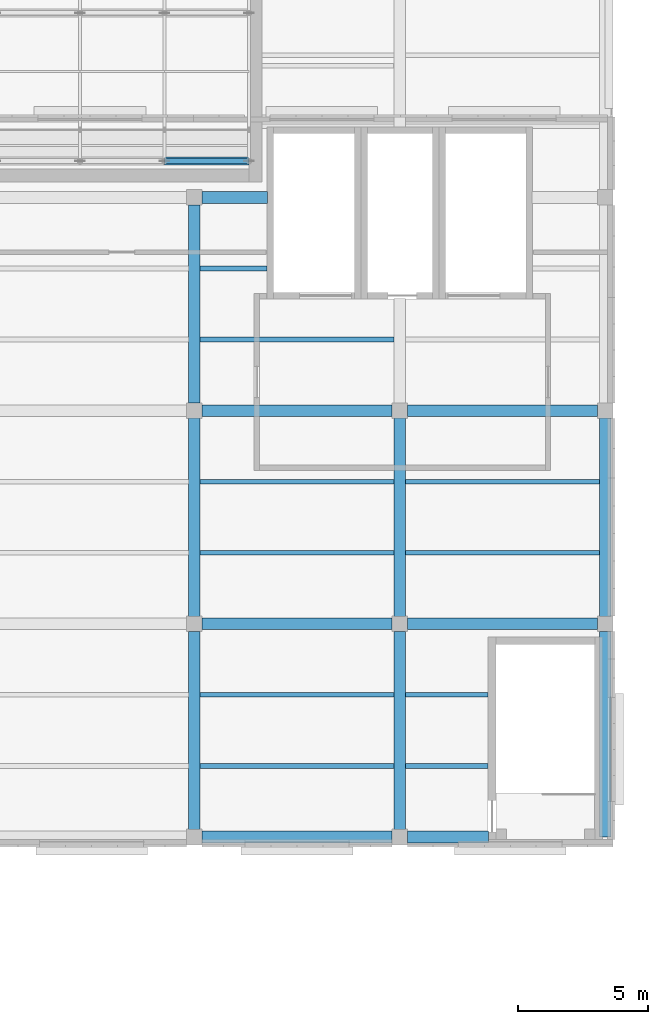
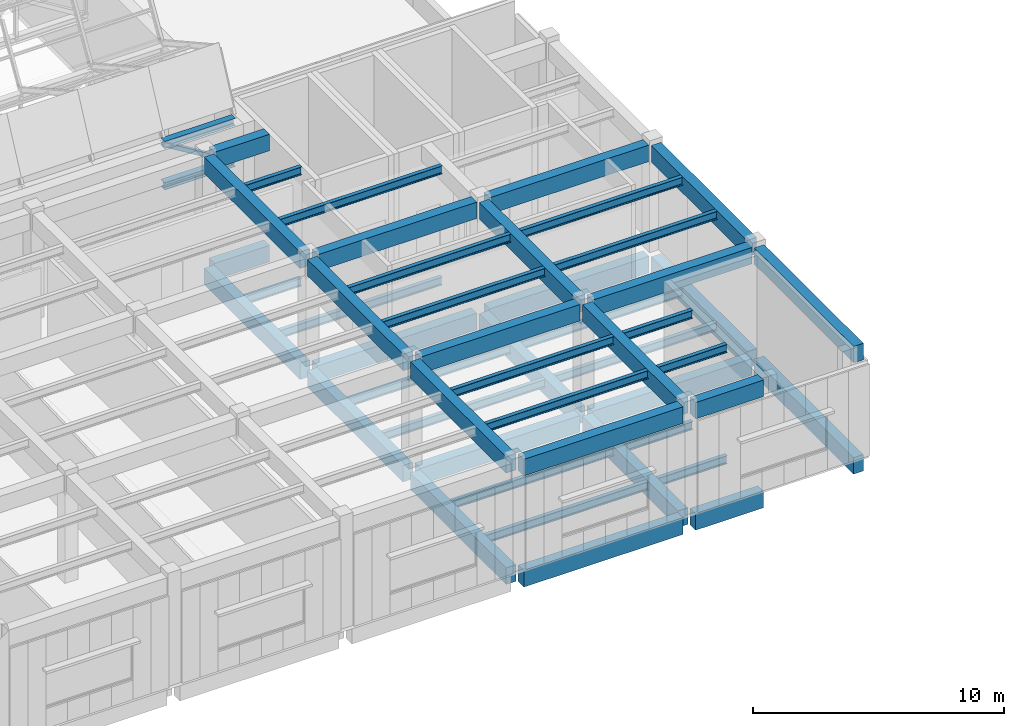
# One storey, part 49 of 132: 48 beams, 3 members.
"""IFC4 building model written with IfcOpenShell, lengths in metres."""

from ifc_helpers import new_model, si_unit, direction, frame, origin, origin_2d, place, context, subcontext, project, spatial, rectangle, hollow_rectangle, i_section, extrude, material, material_profile, profile_set, type_object, element, save


model = new_model("IFC4")

# Units and contexts
model_context = context("Model", 3, precision=1e-05, world=origin(), true_north=direction((0.0, 1.0)))
body_context = subcontext(model_context, "Body", "Model", "MODEL_VIEW")
ifc_project = project(units=[si_unit("LENGTHUNIT", "METRE"), si_unit("AREAUNIT", "SQUARE_METRE"), si_unit("VOLUMEUNIT", "CUBIC_METRE"), si_unit("PLANEANGLEUNIT", "RADIAN"), si_unit("MASSUNIT", "GRAM", prefix="KILO")], contexts=[model_context])

# Site, building, storey
site_placement = place(None, origin())
site = spatial("IfcSite", under=ifc_project, at=site_placement, CompositionType="ELEMENT")
building_placement = place(site_placement, origin())
building = spatial("IfcBuilding", under=site, at=building_placement, Name="Lunette Opera House", CompositionType="ELEMENT")
storey_placement = place(building_placement, frame((0.0, 0.0, 17.0)))
storey = spatial("IfcBuildingStorey", under=building, at=storey_placement, Name="L03", CompositionType="ELEMENT", Elevation=17.0)

# Members
ifc_material_1 = material(Name="Steel S355", Category="steel")
ifc_material_profile_1 = material_profile(ifc_material_1, i_section(OverallWidth=0.300048828125, OverallDepth=0.35009765625, WebThickness=0.010009765625, FlangeThickness=0.017578125, FilletRadius=0.027099609375, at=origin_2d()), Name="HEA 360")
ifc_profile_set_1 = profile_set([ifc_material_profile_1], Name="Steel S355")
member_type_1 = type_object("IfcMemberType", Name="CHORD HEA 360", PredefinedType="CHORD", material=ifc_profile_set_1)
for number, where, z_axis, x_axis, name in (
    (1, (166.75, 104.300048828125, 5.205078125), (1.0, 0.0, 0.0), (0.0, 1.0, 0.0), "mem-WW-L03-WW-TR01-TC8"),
    (2, (166.75, 104.300048828125, 3.205078125), (1.0, 0.0, 0.0), (0.0, 1.0, 0.0), "mem-WW-L03-WW-TR01-BC8"),
):
    element("IfcMember", number, at=place(storey_placement, frame(where, z_axis=z_axis, x_axis=x_axis)), inside=storey, type_object=member_type_1, Name=name, PredefinedType="CHORD", context=body_context, shape_type="SweptSolid", body=[
        extrude(i_section(OverallWidth=0.300048828125, OverallDepth=0.35009765625, WebThickness=0.010009765625, FlangeThickness=0.017578125, FilletRadius=0.027099609375, at=origin_2d()), origin(), (0.0, 0.0, 1.0), 3.25),
    ])
ifc_material_2 = material(Name="Steel S355", Category="steel")
ifc_material_profile_2 = material_profile(ifc_material_2, hollow_rectangle(XDim=0.199951171875, YDim=0.199951171875, WallThickness=0.008056640625, InnerFilletRadius=0.008056640625, OuterFilletRadius=0.01611328125, at=origin_2d()), Name="RHS 200X200X8")
ifc_profile_set_2 = profile_set([ifc_material_profile_2], Name="Steel S355")
member_type_2 = type_object("IfcMemberType", Name="DIAGONAL RHS 200X200X8", PredefinedType="BRACE", material=ifc_profile_set_2)
member_placement = place(storey_placement, frame((166.75, 104.300048828125, 5.205078125), z_axis=(0.851658316705, 0.0, -0.524097425664), x_axis=(0.0, 1.0, 0.0)))
element("IfcMember", 3, at=member_placement, inside=storey, type_object=member_type_2, Name="mem-WW-L03-WW-TR01-TD8", PredefinedType="BRACE", context=body_context, shape_type="SweptSolid", body=[
    extrude(hollow_rectangle(XDim=0.199951171875, YDim=0.199951171875, WallThickness=0.008056640625, InnerFilletRadius=0.008056640625, OuterFilletRadius=0.01611328125, at=origin_2d()), origin(), (0.0, 0.0, 1.0), 3.816162109375),
])

# Beams
ifc_material_3 = material(Name="Concrete C35/45", Category="concrete")
ifc_material_profile_3 = material_profile(ifc_material_3, rectangle(XDim=0.449951171875, YDim=0.800048828125, at=origin_2d()), Name="RC BEAM 450X800")
ifc_profile_set_3 = profile_set([ifc_material_profile_3], Name="Concrete C35/45")
beam_type_1 = type_object("IfcBeamType", Name="RC BEAM 450X800", PredefinedType="BEAM", material=ifc_profile_set_3)
for number, where, z_axis, x_axis, name in (
    (4, (167.89990234375, 78.590087890625, -0.550048828125), (0.0, 1.0, 0.0), (-1.0, 0.0, 0.0), "beam-WW-L03-L03-GY40"),
    (5, (167.89990234375, 86.7900390625, -0.550048828125), (0.0, 1.0, 0.0), (-1.0, 0.0, 0.0), "beam-WW-L03-L03-GY41"),
):
    element("IfcBeam", number, at=place(storey_placement, frame(where, z_axis=z_axis, x_axis=x_axis)), inside=storey, type_object=beam_type_1, Name=name, PredefinedType="BEAM", context=body_context, shape_type="SweptSolid", body=[
        extrude(rectangle(XDim=0.449951171875, YDim=0.800048828125, at=origin_2d()), origin(), (0.0, 0.0, 1.0), 7.619873046875),
    ])
beam_1_placement = place(storey_placement, frame((167.89990234375, 94.989990234375, -0.550048828125), z_axis=(0.0, 1.0, 0.0), x_axis=(-1.0, 0.0, 0.0)))
element("IfcBeam", 6, at=beam_1_placement, inside=storey, type_object=beam_type_1, Name="beam-WW-L03-L03-GY42", PredefinedType="BEAM", context=body_context, shape_type="SweptSolid", body=[
    extrude(rectangle(XDim=0.449951171875, YDim=0.800048828125, at=origin_2d()), origin(), (0.0, 0.0, 1.0), 7.6201171875),
])
for number, where, z_axis, x_axis, name in (
    (7, (175.800048828125, 78.590087890625, -0.550048828125), (0.0, 1.0, 0.0), (-1.0, 0.0, 0.0), "beam-WW-L03-L03-GY50"),
    (8, (175.800048828125, 86.7900390625, -0.550048828125), (0.0, 1.0, 0.0), (-1.0, 0.0, 0.0), "beam-WW-L03-L03-GY51"),
):
    element("IfcBeam", number, at=place(storey_placement, frame(where, z_axis=z_axis, x_axis=x_axis)), inside=storey, type_object=beam_type_1, Name=name, PredefinedType="BEAM", context=body_context, shape_type="SweptSolid", body=[
        extrude(rectangle(XDim=0.449951171875, YDim=0.800048828125, at=origin_2d()), origin(), (0.0, 0.0, 1.0), 7.619873046875),
    ])
beam_2_placement = place(storey_placement, frame((183.699951171875, 78.300048828125, -0.550048828125), z_axis=(0.0, 1.0, 0.0), x_axis=(-1.0, 0.0, 0.0)))
element("IfcBeam", 9, at=beam_2_placement, inside=storey, type_object=beam_type_1, Name="beam-WW-L03-L03-GY60", PredefinedType="BEAM", context=body_context, shape_type="SweptSolid", body=[
    extrude(rectangle(XDim=0.449951171875, YDim=0.800048828125, at=origin_2d()), origin(), (0.0, 0.0, 1.0), 7.909912109375),
])
beam_3_placement = place(storey_placement, frame((183.699951171875, 86.7900390625, -0.550048828125), z_axis=(0.0, 1.0, 0.0), x_axis=(-1.0, 0.0, 0.0)))
element("IfcBeam", 10, at=beam_3_placement, inside=storey, type_object=beam_type_1, Name="beam-WW-L03-L03-GY61", PredefinedType="BEAM", context=body_context, shape_type="SweptSolid", body=[
    extrude(rectangle(XDim=0.449951171875, YDim=0.800048828125, at=origin_2d()), origin(), (0.0, 0.0, 1.0), 7.619873046875),
])
beam_4_placement = place(storey_placement, frame((168.18994140625, 78.300048828125, -0.550048828125), z_axis=(1.0, 0.0, 0.0), x_axis=(0.0, 1.0, 0.0)))
element("IfcBeam", 11, at=beam_4_placement, inside=storey, type_object=beam_type_1, Name="beam-WW-L03-L03-GX40", PredefinedType="BEAM", context=body_context, shape_type="SweptSolid", body=[
    extrude(rectangle(XDim=0.449951171875, YDim=0.800048828125, at=origin_2d()), origin(), (0.0, 0.0, 1.0), 7.320068359375),
])
beam_5_placement = place(storey_placement, frame((176.090087890625, 78.300048828125, -0.550048828125), z_axis=(1.0, 0.0, 0.0), x_axis=(0.0, 1.0, 0.0)))
element("IfcBeam", 12, at=beam_5_placement, inside=storey, type_object=beam_type_1, Name="beam-WW-L03-L03-GX50", PredefinedType="BEAM", context=body_context, shape_type="SweptSolid", body=[
    extrude(rectangle(XDim=0.449951171875, YDim=0.800048828125, at=origin_2d()), origin(), (0.0, 0.0, 1.0), 3.119873046875),
])
beam_6_placement = place(storey_placement, frame((168.18994140625, 86.5, -0.550048828125), z_axis=(1.0, 0.0, 0.0), x_axis=(0.0, 1.0, 0.0)))
element("IfcBeam", 13, at=beam_6_placement, inside=storey, type_object=beam_type_1, Name="beam-WW-L03-L03-GX41", PredefinedType="BEAM", context=body_context, shape_type="SweptSolid", body=[
    extrude(rectangle(XDim=0.449951171875, YDim=0.800048828125, at=origin_2d()), origin(), (0.0, 0.0, 1.0), 7.320068359375),
])
beam_7_placement = place(storey_placement, frame((176.090087890625, 86.5, -0.550048828125), z_axis=(1.0, 0.0, 0.0), x_axis=(0.0, 1.0, 0.0)))
element("IfcBeam", 14, at=beam_7_placement, inside=storey, type_object=beam_type_1, Name="beam-WW-L03-L03-GX51", PredefinedType="BEAM", context=body_context, shape_type="SweptSolid", body=[
    extrude(rectangle(XDim=0.449951171875, YDim=0.800048828125, at=origin_2d()), origin(), (0.0, 0.0, 1.0), 7.31982421875),
])
beam_8_placement = place(storey_placement, frame((168.18994140625, 94.699951171875, -0.550048828125), z_axis=(1.0, 0.0, 0.0), x_axis=(0.0, 1.0, 0.0)))
element("IfcBeam", 15, at=beam_8_placement, inside=storey, type_object=beam_type_1, Name="beam-WW-L03-L03-GX42", PredefinedType="BEAM", context=body_context, shape_type="SweptSolid", body=[
    extrude(rectangle(XDim=0.449951171875, YDim=0.800048828125, at=origin_2d()), origin(), (0.0, 0.0, 1.0), 7.320068359375),
])
beam_9_placement = place(storey_placement, frame((176.090087890625, 94.699951171875, -0.550048828125), z_axis=(1.0, 0.0, 0.0), x_axis=(0.0, 1.0, 0.0)))
element("IfcBeam", 16, at=beam_9_placement, inside=storey, type_object=beam_type_1, Name="beam-WW-L03-L03-GX52", PredefinedType="BEAM", context=body_context, shape_type="SweptSolid", body=[
    extrude(rectangle(XDim=0.449951171875, YDim=0.800048828125, at=origin_2d()), origin(), (0.0, 0.0, 1.0), 7.31982421875),
])
beam_10_placement = place(storey_placement, frame((168.18994140625, 102.89990234375, -0.550048828125), z_axis=(1.0, 0.0, 0.0), x_axis=(0.0, 1.0, 0.0)))
element("IfcBeam", 17, at=beam_10_placement, inside=storey, type_object=beam_type_1, Name="beam-WW-L03-L03-GX43", PredefinedType="BEAM", context=body_context, shape_type="SweptSolid", body=[
    extrude(rectangle(XDim=0.449951171875, YDim=0.800048828125, at=origin_2d()), origin(), (0.0, 0.0, 1.0), 2.52001953125),
])
for number, where, z_axis, x_axis, name in (
    (18, (167.89990234375, 78.590087890625, 4.85009765625), (0.0, 1.0, 0.0), (-1.0, 0.0, 0.0), "beam-WW-L03-L03R-GY40"),
    (19, (167.89990234375, 86.7900390625, 4.85009765625), (0.0, 1.0, 0.0), (-1.0, 0.0, 0.0), "beam-WW-L03-L03R-GY41"),
):
    element("IfcBeam", number, at=place(storey_placement, frame(where, z_axis=z_axis, x_axis=x_axis)), inside=storey, type_object=beam_type_1, Name=name, PredefinedType="BEAM", context=body_context, shape_type="SweptSolid", body=[
        extrude(rectangle(XDim=0.449951171875, YDim=0.800048828125, at=origin_2d()), origin(), (0.0, 0.0, 1.0), 7.619873046875),
    ])
beam_11_placement = place(storey_placement, frame((167.89990234375, 94.989990234375, 4.85009765625), z_axis=(0.0, 1.0, 0.0), x_axis=(-1.0, 0.0, 0.0)))
element("IfcBeam", 20, at=beam_11_placement, inside=storey, type_object=beam_type_1, Name="beam-WW-L03-L03R-GY42", PredefinedType="BEAM", context=body_context, shape_type="SweptSolid", body=[
    extrude(rectangle(XDim=0.449951171875, YDim=0.800048828125, at=origin_2d()), origin(), (0.0, 0.0, 1.0), 7.6201171875),
])
for number, where, z_axis, x_axis, name in (
    (21, (175.800048828125, 78.590087890625, 4.85009765625), (0.0, 1.0, 0.0), (-1.0, 0.0, 0.0), "beam-WW-L03-L03R-GY50"),
    (22, (175.800048828125, 86.7900390625, 4.85009765625), (0.0, 1.0, 0.0), (-1.0, 0.0, 0.0), "beam-WW-L03-L03R-GY51"),
):
    element("IfcBeam", number, at=place(storey_placement, frame(where, z_axis=z_axis, x_axis=x_axis)), inside=storey, type_object=beam_type_1, Name=name, PredefinedType="BEAM", context=body_context, shape_type="SweptSolid", body=[
        extrude(rectangle(XDim=0.449951171875, YDim=0.800048828125, at=origin_2d()), origin(), (0.0, 0.0, 1.0), 7.619873046875),
    ])
beam_12_placement = place(storey_placement, frame((183.699951171875, 78.300048828125, 4.85009765625), z_axis=(0.0, 1.0, 0.0), x_axis=(-1.0, 0.0, 0.0)))
element("IfcBeam", 23, at=beam_12_placement, inside=storey, type_object=beam_type_1, Name="beam-WW-L03-L03R-GY60", PredefinedType="BEAM", context=body_context, shape_type="SweptSolid", body=[
    extrude(rectangle(XDim=0.449951171875, YDim=0.800048828125, at=origin_2d()), origin(), (0.0, 0.0, 1.0), 7.909912109375),
])
beam_13_placement = place(storey_placement, frame((183.699951171875, 86.7900390625, 4.85009765625), z_axis=(0.0, 1.0, 0.0), x_axis=(-1.0, 0.0, 0.0)))
element("IfcBeam", 24, at=beam_13_placement, inside=storey, type_object=beam_type_1, Name="beam-WW-L03-L03R-GY61", PredefinedType="BEAM", context=body_context, shape_type="SweptSolid", body=[
    extrude(rectangle(XDim=0.449951171875, YDim=0.800048828125, at=origin_2d()), origin(), (0.0, 0.0, 1.0), 7.619873046875),
])
beam_14_placement = place(storey_placement, frame((168.18994140625, 78.300048828125, 4.85009765625), z_axis=(1.0, 0.0, 0.0), x_axis=(0.0, 1.0, 0.0)))
element("IfcBeam", 25, at=beam_14_placement, inside=storey, type_object=beam_type_1, Name="beam-WW-L03-L03R-GX40", PredefinedType="BEAM", context=body_context, shape_type="SweptSolid", body=[
    extrude(rectangle(XDim=0.449951171875, YDim=0.800048828125, at=origin_2d()), origin(), (0.0, 0.0, 1.0), 7.320068359375),
])
beam_15_placement = place(storey_placement, frame((176.090087890625, 78.300048828125, 4.85009765625), z_axis=(1.0, 0.0, 0.0), x_axis=(0.0, 1.0, 0.0)))
element("IfcBeam", 26, at=beam_15_placement, inside=storey, type_object=beam_type_1, Name="beam-WW-L03-L03R-GX50", PredefinedType="BEAM", context=body_context, shape_type="SweptSolid", body=[
    extrude(rectangle(XDim=0.449951171875, YDim=0.800048828125, at=origin_2d()), origin(), (0.0, 0.0, 1.0), 3.119873046875),
])
beam_16_placement = place(storey_placement, frame((168.18994140625, 86.5, 4.85009765625), z_axis=(1.0, 0.0, 0.0), x_axis=(0.0, 1.0, 0.0)))
element("IfcBeam", 27, at=beam_16_placement, inside=storey, type_object=beam_type_1, Name="beam-WW-L03-L03R-GX41", PredefinedType="BEAM", context=body_context, shape_type="SweptSolid", body=[
    extrude(rectangle(XDim=0.449951171875, YDim=0.800048828125, at=origin_2d()), origin(), (0.0, 0.0, 1.0), 7.320068359375),
])
beam_17_placement = place(storey_placement, frame((176.090087890625, 86.5, 4.85009765625), z_axis=(1.0, 0.0, 0.0), x_axis=(0.0, 1.0, 0.0)))
element("IfcBeam", 28, at=beam_17_placement, inside=storey, type_object=beam_type_1, Name="beam-WW-L03-L03R-GX51", PredefinedType="BEAM", context=body_context, shape_type="SweptSolid", body=[
    extrude(rectangle(XDim=0.449951171875, YDim=0.800048828125, at=origin_2d()), origin(), (0.0, 0.0, 1.0), 7.31982421875),
])
beam_18_placement = place(storey_placement, frame((168.18994140625, 94.699951171875, 4.85009765625), z_axis=(1.0, 0.0, 0.0), x_axis=(0.0, 1.0, 0.0)))
element("IfcBeam", 29, at=beam_18_placement, inside=storey, type_object=beam_type_1, Name="beam-WW-L03-L03R-GX42", PredefinedType="BEAM", context=body_context, shape_type="SweptSolid", body=[
    extrude(rectangle(XDim=0.449951171875, YDim=0.800048828125, at=origin_2d()), origin(), (0.0, 0.0, 1.0), 7.320068359375),
])
beam_19_placement = place(storey_placement, frame((176.090087890625, 94.699951171875, 4.85009765625), z_axis=(1.0, 0.0, 0.0), x_axis=(0.0, 1.0, 0.0)))
element("IfcBeam", 30, at=beam_19_placement, inside=storey, type_object=beam_type_1, Name="beam-WW-L03-L03R-GX52", PredefinedType="BEAM", context=body_context, shape_type="SweptSolid", body=[
    extrude(rectangle(XDim=0.449951171875, YDim=0.800048828125, at=origin_2d()), origin(), (0.0, 0.0, 1.0), 7.31982421875),
])
beam_20_placement = place(storey_placement, frame((168.18994140625, 102.89990234375, 4.85009765625), z_axis=(1.0, 0.0, 0.0), x_axis=(0.0, 1.0, 0.0)))
element("IfcBeam", 31, at=beam_20_placement, inside=storey, type_object=beam_type_1, Name="beam-WW-L03-L03R-GX43", PredefinedType="BEAM", context=body_context, shape_type="SweptSolid", body=[
    extrude(rectangle(XDim=0.449951171875, YDim=0.800048828125, at=origin_2d()), origin(), (0.0, 0.0, 1.0), 2.52001953125),
])
ifc_material_4 = material(Name="Steel S355", Category="steel")
ifc_material_profile_4 = material_profile(ifc_material_4, i_section(OverallWidth=0.179931640625, OverallDepth=0.39990234375, WebThickness=0.008544921875, FlangeThickness=0.013427734375, FilletRadius=0.02099609375, at=origin_2d()), Name="IPE 400")
ifc_profile_set_4 = profile_set([ifc_material_profile_4], Name="Steel S355")
beam_type_2 = type_object("IfcBeamType", Name="STEEL BEAM IPE 400", PredefinedType="BEAM", material=ifc_profile_set_4)
for number, where, z_axis, x_axis, name in (
    (32, (168.114990234375, 81.032958984375, -0.35009765625), (1.0, 0.0, 0.0), (0.0, 1.0, 0.0), "beam-WW-L03-L03-SX401"),
    (33, (168.114990234375, 83.76708984375, -0.35009765625), (1.0, 0.0, 0.0), (0.0, 1.0, 0.0), "beam-WW-L03-L03-SX402"),
    (34, (168.114990234375, 89.23291015625, -0.35009765625), (1.0, 0.0, 0.0), (0.0, 1.0, 0.0), "beam-WW-L03-L03-SX411"),
    (35, (168.114990234375, 91.967041015625, -0.35009765625), (1.0, 0.0, 0.0), (0.0, 1.0, 0.0), "beam-WW-L03-L03-SX412"),
    (36, (168.114990234375, 97.43310546875, -0.35009765625), (1.0, 0.0, 0.0), (0.0, 1.0, 0.0), "beam-WW-L03-L03-SX421"),
):
    element("IfcBeam", number, at=place(storey_placement, frame(where, z_axis=z_axis, x_axis=x_axis)), inside=storey, type_object=beam_type_2, Name=name, PredefinedType="BEAM", context=body_context, shape_type="SweptSolid", body=[
        extrude(i_section(OverallWidth=0.179931640625, OverallDepth=0.39990234375, WebThickness=0.008544921875, FlangeThickness=0.013427734375, FilletRadius=0.02099609375, at=origin_2d()), origin(), (0.0, 0.0, 1.0), 7.469970703125),
    ])
beam_21_placement = place(storey_placement, frame((168.114990234375, 100.1669921875, -0.35009765625), z_axis=(1.0, 0.0, 0.0), x_axis=(0.0, 1.0, 0.0)))
element("IfcBeam", 37, at=beam_21_placement, inside=storey, type_object=beam_type_2, Name="beam-WW-L03-L03-SX422", PredefinedType="BEAM", context=body_context, shape_type="SweptSolid", body=[
    extrude(i_section(OverallWidth=0.179931640625, OverallDepth=0.39990234375, WebThickness=0.008544921875, FlangeThickness=0.013427734375, FilletRadius=0.02099609375, at=origin_2d()), origin(), (0.0, 0.0, 1.0), 2.5849609375),
])
for number, where, z_axis, x_axis, name in (
    (38, (176.014892578125, 81.032958984375, -0.35009765625), (1.0, 0.0, 0.0), (0.0, 1.0, 0.0), "beam-WW-L03-L03-SX501"),
    (39, (176.014892578125, 83.76708984375, -0.35009765625), (1.0, 0.0, 0.0), (0.0, 1.0, 0.0), "beam-WW-L03-L03-SX502"),
):
    element("IfcBeam", number, at=place(storey_placement, frame(where, z_axis=z_axis, x_axis=x_axis)), inside=storey, type_object=beam_type_2, Name=name, PredefinedType="BEAM", context=body_context, shape_type="SweptSolid", body=[
        extrude(i_section(OverallWidth=0.179931640625, OverallDepth=0.39990234375, WebThickness=0.008544921875, FlangeThickness=0.013427734375, FilletRadius=0.02099609375, at=origin_2d()), origin(), (0.0, 0.0, 1.0), 3.18505859375),
    ])
for number, where, z_axis, x_axis, name in (
    (40, (176.014892578125, 89.23291015625, -0.35009765625), (1.0, 0.0, 0.0), (0.0, 1.0, 0.0), "beam-WW-L03-L03-SX511"),
    (41, (176.014892578125, 91.967041015625, -0.35009765625), (1.0, 0.0, 0.0), (0.0, 1.0, 0.0), "beam-WW-L03-L03-SX512"),
):
    element("IfcBeam", number, at=place(storey_placement, frame(where, z_axis=z_axis, x_axis=x_axis)), inside=storey, type_object=beam_type_2, Name=name, PredefinedType="BEAM", context=body_context, shape_type="SweptSolid", body=[
        extrude(i_section(OverallWidth=0.179931640625, OverallDepth=0.39990234375, WebThickness=0.008544921875, FlangeThickness=0.013427734375, FilletRadius=0.02099609375, at=origin_2d()), origin(), (0.0, 0.0, 1.0), 7.47021484375),
    ])
for number, where, z_axis, x_axis, name in (
    (42, (168.114990234375, 81.032958984375, 5.050048828125), (1.0, 0.0, 0.0), (0.0, 1.0, 0.0), "beam-WW-L03-L03R-SX401"),
    (43, (168.114990234375, 83.76708984375, 5.050048828125), (1.0, 0.0, 0.0), (0.0, 1.0, 0.0), "beam-WW-L03-L03R-SX402"),
    (44, (168.114990234375, 89.23291015625, 5.050048828125), (1.0, 0.0, 0.0), (0.0, 1.0, 0.0), "beam-WW-L03-L03R-SX411"),
    (45, (168.114990234375, 91.967041015625, 5.050048828125), (1.0, 0.0, 0.0), (0.0, 1.0, 0.0), "beam-WW-L03-L03R-SX412"),
    (46, (168.114990234375, 97.43310546875, 5.050048828125), (1.0, 0.0, 0.0), (0.0, 1.0, 0.0), "beam-WW-L03-L03R-SX421"),
):
    element("IfcBeam", number, at=place(storey_placement, frame(where, z_axis=z_axis, x_axis=x_axis)), inside=storey, type_object=beam_type_2, Name=name, PredefinedType="BEAM", context=body_context, shape_type="SweptSolid", body=[
        extrude(i_section(OverallWidth=0.179931640625, OverallDepth=0.39990234375, WebThickness=0.008544921875, FlangeThickness=0.013427734375, FilletRadius=0.02099609375, at=origin_2d()), origin(), (0.0, 0.0, 1.0), 7.469970703125),
    ])
beam_22_placement = place(storey_placement, frame((168.114990234375, 100.1669921875, 5.050048828125), z_axis=(1.0, 0.0, 0.0), x_axis=(0.0, 1.0, 0.0)))
element("IfcBeam", 47, at=beam_22_placement, inside=storey, type_object=beam_type_2, Name="beam-WW-L03-L03R-SX422", PredefinedType="BEAM", context=body_context, shape_type="SweptSolid", body=[
    extrude(i_section(OverallWidth=0.179931640625, OverallDepth=0.39990234375, WebThickness=0.008544921875, FlangeThickness=0.013427734375, FilletRadius=0.02099609375, at=origin_2d()), origin(), (0.0, 0.0, 1.0), 2.5849609375),
])
for number, where, z_axis, x_axis, name in (
    (48, (176.014892578125, 81.032958984375, 5.050048828125), (1.0, 0.0, 0.0), (0.0, 1.0, 0.0), "beam-WW-L03-L03R-SX501"),
    (49, (176.014892578125, 83.76708984375, 5.050048828125), (1.0, 0.0, 0.0), (0.0, 1.0, 0.0), "beam-WW-L03-L03R-SX502"),
):
    element("IfcBeam", number, at=place(storey_placement, frame(where, z_axis=z_axis, x_axis=x_axis)), inside=storey, type_object=beam_type_2, Name=name, PredefinedType="BEAM", context=body_context, shape_type="SweptSolid", body=[
        extrude(i_section(OverallWidth=0.179931640625, OverallDepth=0.39990234375, WebThickness=0.008544921875, FlangeThickness=0.013427734375, FilletRadius=0.02099609375, at=origin_2d()), origin(), (0.0, 0.0, 1.0), 3.18505859375),
    ])
for number, where, z_axis, x_axis, name in (
    (50, (176.014892578125, 89.23291015625, 5.050048828125), (1.0, 0.0, 0.0), (0.0, 1.0, 0.0), "beam-WW-L03-L03R-SX511"),
    (51, (176.014892578125, 91.967041015625, 5.050048828125), (1.0, 0.0, 0.0), (0.0, 1.0, 0.0), "beam-WW-L03-L03R-SX512"),
):
    element("IfcBeam", number, at=place(storey_placement, frame(where, z_axis=z_axis, x_axis=x_axis)), inside=storey, type_object=beam_type_2, Name=name, PredefinedType="BEAM", context=body_context, shape_type="SweptSolid", body=[
        extrude(i_section(OverallWidth=0.179931640625, OverallDepth=0.39990234375, WebThickness=0.008544921875, FlangeThickness=0.013427734375, FilletRadius=0.02099609375, at=origin_2d()), origin(), (0.0, 0.0, 1.0), 7.47021484375),
    ])

save(model, "model.ifc")
